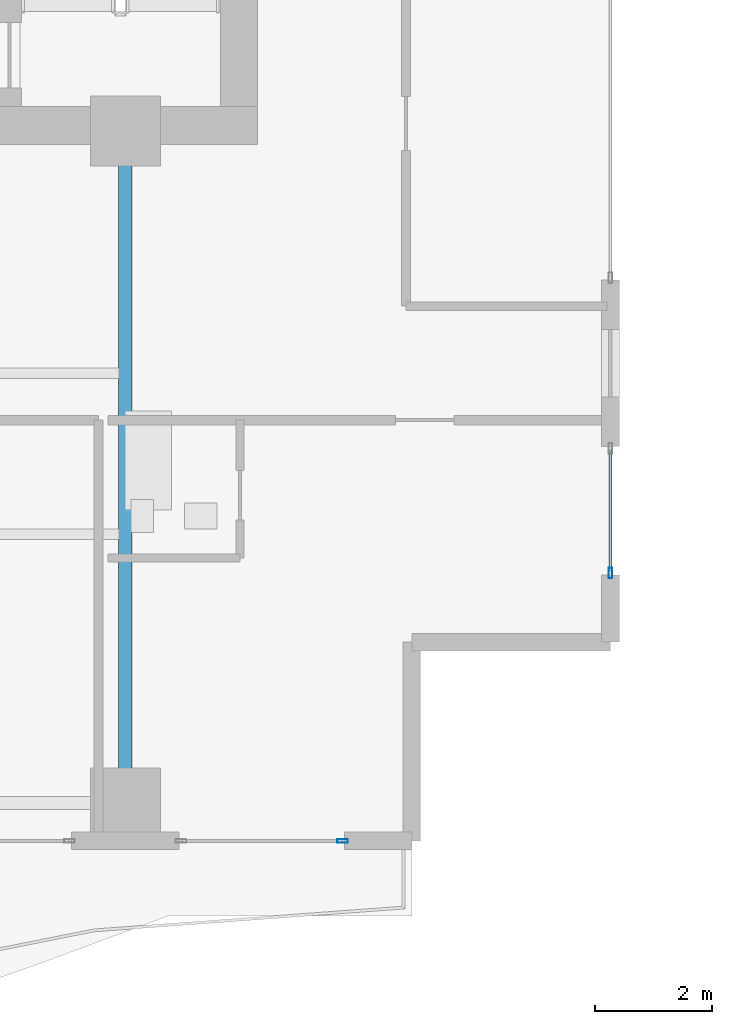
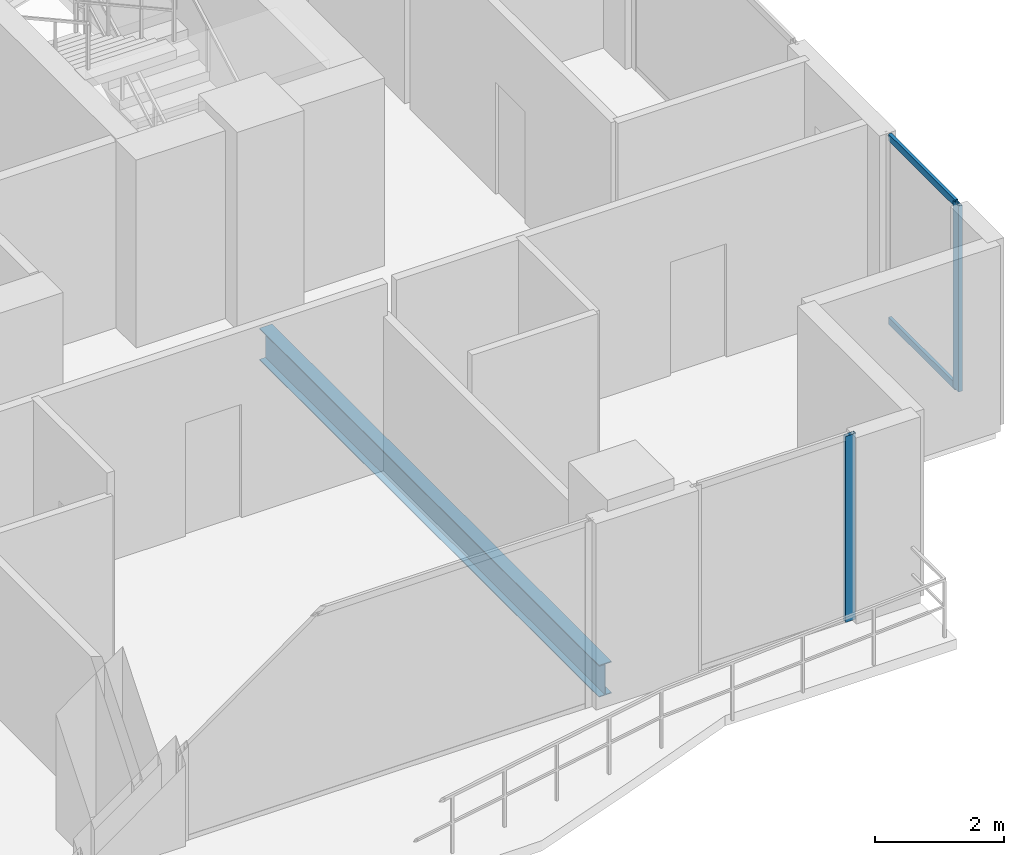
# One storey, part 10 of 32: 4 members, 1 beam, 2 elements without a shape of their own.
"""IFC4 building model written with IfcOpenShell, lengths in metres."""

from ifc_helpers import new_model, si_unit, direction, frame, origin, origin_2d, place, context, subcontext, project, spatial, hollow_rectangle, i_section, extrude, material, layer, layer_set, material_profile, profile_set, type_object, element, aggregate, save


model = new_model("IFC4")

# Units and contexts
model_context = context("Model", 3, precision=1e-05, world=origin(), true_north=direction((0.0, 1.0)))
body_context = subcontext(model_context, "Body", "Model", "MODEL_VIEW")
ifc_project = project(units=[si_unit("LENGTHUNIT", "METRE"), si_unit("AREAUNIT", "SQUARE_METRE"), si_unit("VOLUMEUNIT", "CUBIC_METRE"), si_unit("PLANEANGLEUNIT", "RADIAN"), si_unit("MASSUNIT", "GRAM", prefix="KILO")], contexts=[model_context])

# Site, building, storey
site_placement = place(None, origin())
site = spatial("IfcSite", under=ifc_project, at=site_placement, CompositionType="ELEMENT")
building_placement = place(site_placement, origin())
building = spatial("IfcBuilding", under=site, at=building_placement, Name="Zuhayl Quay Hotel", CompositionType="ELEMENT")
storey_placement = place(building_placement, frame((0.0, 0.0, 181.14990234375)))
storey = spatial("IfcBuildingStorey", under=building, at=storey_placement, Name="L45", CompositionType="ELEMENT", Elevation=181.14990234375)

# Beam
ifc_material_1 = material(Name="Steel ASTM A992 Grade 50", Category="steel")
ifc_material_profile_1 = material_profile(ifc_material_1, i_section(OverallWidth=0.22802734375, OverallDepth=0.60693359375, WebThickness=0.01123046875, FlangeThickness=0.017333984375, at=origin_2d()), Name="W24X76")
ifc_profile_set_1 = profile_set([ifc_material_profile_1], Name="Steel ASTM A992 Grade 50")
beam_type = type_object("IfcBeamType", Name="BM_B3_W24X76", PredefinedType="BEAM", material=ifc_profile_set_1)
beam_placement = place(storey_placement, frame((13.800048828125, -6.449951171875, -0.5234375), z_axis=(0.0, 1.0, 0.0), x_axis=(-1.0, 0.0, 0.0)))
element("IfcBeam", 1, at=beam_placement, inside=storey, type_object=beam_type, Name="L45 Floor Beam FG_S_L45_4", PredefinedType="BEAM", context=body_context, shape_type="SweptSolid", body=[
    extrude(i_section(OverallWidth=0.22802734375, OverallDepth=0.60693359375, WebThickness=0.01123046875, FlangeThickness=0.017333984375, at=origin_2d()), origin(), (0.0, 0.0, 1.0), 10.550048828125),
])

# Curtain wall, member
ifc_material_2 = material(Name="Anodised Aluminium 6063-T6", Category="aluminium")
ifc_layer = layer(ifc_material_2, 0.175048828125, Name="Anodised Aluminium 6063-T6", Category="aluminium")
ifc_layer_set = layer_set([ifc_layer], Name="Anodised Aluminium 6063-T6")
curtain_wall_type = type_object("IfcCurtainWallType", Name="CW_SYS_Z3", PredefinedType="USERDEFINED", material=ifc_layer_set)
curtain_wall_1_placement = place(storey_placement, origin())
curtain_wall_1 = element("IfcCurtainWall", 2, at=curtain_wall_1_placement, inside=storey, type_object=curtain_wall_type, Name="L45 Curtain Wall ENV_L45_E14_CW2", ObjectType="UNITISED CURTAIN WALL", PredefinedType="USERDEFINED")
ifc_material_3 = material(Name="Black-anodised aluminium 6063-T6", Category="aluminium")
ifc_material_profile_2 = material_profile(ifc_material_3, hollow_rectangle(XDim=0.06494140625, YDim=0.179931640625, WallThickness=0.00341796875, at=origin_2d()), Name="ALU180X65")
ifc_profile_set_2 = profile_set([ifc_material_profile_2], Name="Black-anodised aluminium 6063-T6")
member_type_1 = type_object("IfcMemberType", Name="MB_CW_MUL_180", PredefinedType="MULLION", material=ifc_profile_set_2)
member_1_placement = place(storey_placement, frame((22.10009765625, -3.017578125, 0.0), z_axis=(0.0, 0.0, 1.0), x_axis=(1.0, 0.0, 0.0)))
member_1 = element("IfcMember", 3, at=member_1_placement, type_object=member_type_1, Name="CW-Z3 mullion 2", PredefinedType="MULLION", context=body_context, shape_type="SweptSolid", body=[
    extrude(hollow_rectangle(XDim=0.06494140625, YDim=0.179931640625, WallThickness=0.00341796875, at=origin_2d()), origin(), (0.0, 0.0, 1.0), 3.530029296875),
])

curtain_wall_2_placement = place(storey_placement, origin())
curtain_wall_2 = element("IfcCurtainWall", 4, at=curtain_wall_2_placement, inside=storey, type_object=curtain_wall_type, Name="L45 Curtain Wall ENV_L45_S_CW1", ObjectType="UNITISED CURTAIN WALL", PredefinedType="USERDEFINED")
member_2_placement = place(storey_placement, frame((17.517578125, -7.60009765625, 0.0), z_axis=(0.0, 0.0, 1.0), x_axis=(0.0, -1.0, 0.0)))
member_2 = element("IfcMember", 5, at=member_2_placement, type_object=member_type_1, Name="CW-Z3 mullion 1", PredefinedType="MULLION", context=body_context, shape_type="SweptSolid", body=[
    extrude(hollow_rectangle(XDim=0.06494140625, YDim=0.179931640625, WallThickness=0.00341796875, at=origin_2d()), origin(), (0.0, 0.0, 1.0), 3.530029296875),
])
aggregate(curtain_wall_2, [member_2])

# Member
ifc_material_profile_3 = material_profile(ifc_material_3, hollow_rectangle(XDim=0.054931640625, YDim=0.1298828125, WallThickness=0.0029296875, at=origin_2d()), Name="ALU130X55")
ifc_profile_set_3 = profile_set([ifc_material_profile_3], Name="Black-anodised aluminium 6063-T6")
member_type_2 = type_object("IfcMemberType", Name="MB_CW_TRN_130", PredefinedType="USERDEFINED", material=ifc_profile_set_3)
member_3_placement = place(storey_placement, frame((22.10009765625, -0.9150390625, 0.027587890625), z_axis=(0.0, -1.0, 0.0), x_axis=(1.0, 0.0, 0.0)))
member_3 = element("IfcMember", 6, at=member_3_placement, type_object=member_type_2, Name="CW-Z3 transom 1.1", ObjectType="TRANSOM", PredefinedType="USERDEFINED", context=body_context, shape_type="SweptSolid", body=[
    extrude(hollow_rectangle(XDim=0.054931640625, YDim=0.1298828125, WallThickness=0.0029296875, at=origin_2d()), origin(), (0.0, 0.0, 1.0), 2.070068359375),
])

member_4_placement = place(storey_placement, frame((22.10009765625, -0.9150390625, 3.502685546875), z_axis=(0.0, -1.0, 0.0), x_axis=(1.0, 0.0, 0.0)))
member_4 = element("IfcMember", 7, at=member_4_placement, type_object=member_type_2, Name="CW-Z3 transom 1.2", ObjectType="TRANSOM", PredefinedType="USERDEFINED", context=body_context, shape_type="SweptSolid", body=[
    extrude(hollow_rectangle(XDim=0.054931640625, YDim=0.1298828125, WallThickness=0.0029296875, at=origin_2d()), origin(), (0.0, 0.0, 1.0), 2.070068359375),
])

aggregate(curtain_wall_1, [member_1, member_3, member_4])

save(model, "model.ifc")
